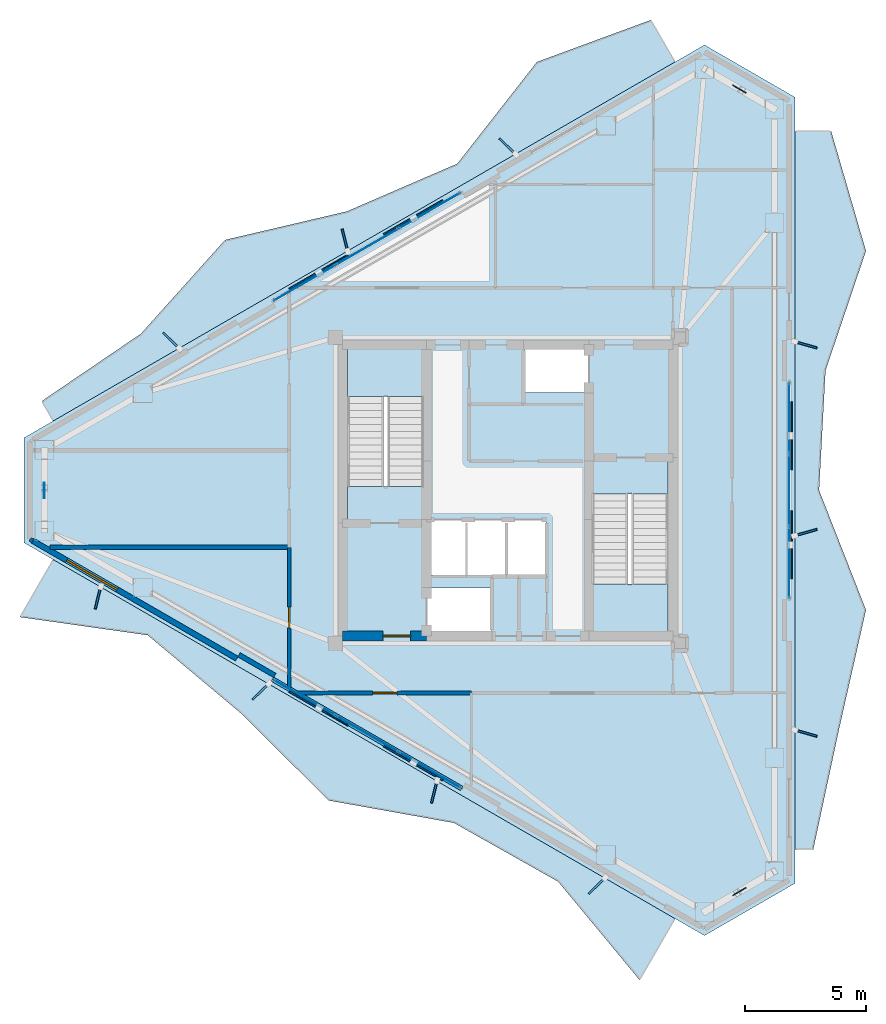
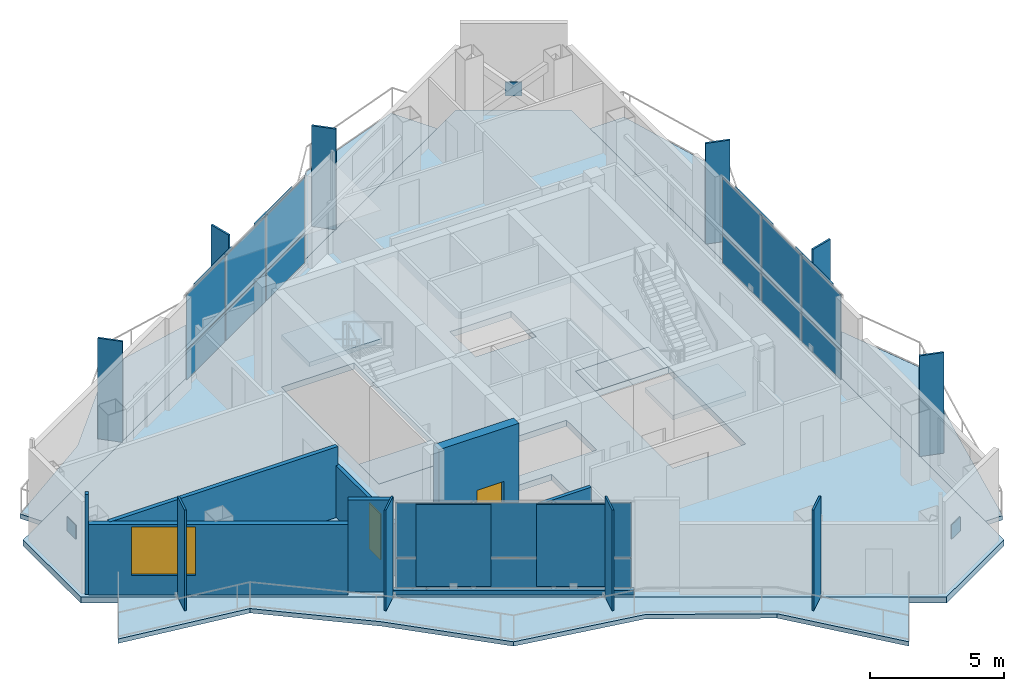
# One storey, part 10 of 15: 37 plates, 8 slabs, 8 walls, 3 doors, 1 window, 4 openings, 5 elements without a shape of their own.
"""IFC4 building model written with IfcOpenShell, lengths in metres."""

from ifc_helpers import new_model, si_unit, direction, frame, frame_2d, origin, origin_2d, place, context, subcontext, project, spatial, polyline, rectangle, outline, extrude, material, layer, layer_set, type_object, element, fill, aggregate, save


model = new_model("IFC4")

# Units and contexts
model_context = context("Model", 3, precision=1e-05, world=origin(), true_north=direction((0.0, 1.0)))
body_context = subcontext(model_context, "Body", "Model", "MODEL_VIEW")
ifc_project = project(units=[si_unit("LENGTHUNIT", "METRE"), si_unit("AREAUNIT", "SQUARE_METRE"), si_unit("VOLUMEUNIT", "CUBIC_METRE"), si_unit("PLANEANGLEUNIT", "RADIAN"), si_unit("MASSUNIT", "GRAM", prefix="KILO")], contexts=[model_context])

# Site, building, storey
site_placement = place(None, origin())
site = spatial("IfcSite", under=ifc_project, at=site_placement, CompositionType="ELEMENT")
building_placement = place(site_placement, origin())
building = spatial("IfcBuilding", under=site, at=building_placement, Name="Mersakhor Tower and Convention Hall", CompositionType="ELEMENT")
storey_placement = place(building_placement, frame((0.0, 0.0, 218.39990234375)))
storey = spatial("IfcBuildingStorey", under=building, at=storey_placement, Name="L61", CompositionType="ELEMENT", Elevation=218.39990234375)

# Curtain wall, plates
ifc_material_1 = material(Name="Dark solar low-E aluminium curtain wall", Category="aluminium")
ifc_layer_1 = layer(ifc_material_1, 0.199951171875)
ifc_layer_set_1 = layer_set([ifc_layer_1], Name="Dark solar low-E aluminium curtain wall")
curtain_wall_type = type_object("IfcCurtainWallType", Name="CW-SYS-05", PredefinedType="USERDEFINED", material=ifc_layer_set_1)
curtain_wall_1_placement = place(storey_placement, origin())
curtain_wall_1 = element("IfcCurtainWall", 1, at=curtain_wall_1_placement, inside=storey, type_object=curtain_wall_type, Name="L61 Dark-Glass Curtain Wall F1-B2", ObjectType="CURTAIN WALL", PredefinedType="USERDEFINED")
ifc_material_2 = material(Name="Dark solar double glazing", Category="glass")
ifc_layer_2 = layer(ifc_material_2, 0.035888671875)
ifc_layer_set_2 = layer_set([ifc_layer_2], Name="Dark solar double glazing")
plate_type_1 = type_object("IfcPlateType", Name="CWP-GLZ-36", PredefinedType="CURTAIN_PANEL", material=ifc_layer_set_2)
plate_1_placement = place(storey_placement, frame((20.62548828125, 35.2958984375, 0.260009765625), z_axis=(0.0, 0.0, 1.0), x_axis=(0.86602088627, 0.500007824483, 0.0)))
plate_1 = element("IfcPlate", 2, at=plate_1_placement, type_object=plate_type_1, Name="CW-05 panel 1.1", PredefinedType="CURTAIN_PANEL", context=body_context, shape_type="SweptSolid", body=[
    extrude(rectangle(XDim=2.879638671875, YDim=0.035888671875, at=origin_2d()), origin(), (0.0, 0.0, 1.0), 1.330078125),
])
plate_2_placement = place(storey_placement, frame((20.62548828125, 35.2958984375, 1.64990234375), z_axis=(0.0, 0.0, 1.0), x_axis=(0.86602088627, 0.500007824483, 0.0)))
plate_2 = element("IfcPlate", 3, at=plate_2_placement, type_object=plate_type_1, Name="CW-05 panel 1.2", PredefinedType="CURTAIN_PANEL", context=body_context, shape_type="SweptSolid", body=[
    extrude(rectangle(XDim=2.879638671875, YDim=0.035888671875, at=origin_2d()), origin(), (0.0, 0.0, 1.0), 2.489990234375),
])
plate_3_placement = place(storey_placement, frame((23.205810546875, 36.785888671875, 0.260009765625), z_axis=(0.0, 0.0, 1.0), x_axis=(0.86602088627, 0.500007824483, 0.0)))
plate_3 = element("IfcPlate", 4, at=plate_3_placement, type_object=plate_type_1, Name="CW-05 panel 2.1", PredefinedType="CURTAIN_PANEL", context=body_context, shape_type="SweptSolid", body=[
    extrude(rectangle(XDim=2.919677734375, YDim=0.035888671875, at=origin_2d()), origin(), (0.0, 0.0, 1.0), 1.330078125),
])
plate_4_placement = place(storey_placement, frame((23.205810546875, 36.785888671875, 1.64990234375), z_axis=(0.0, 0.0, 1.0), x_axis=(0.86602088627, 0.500007824483, 0.0)))
plate_4 = element("IfcPlate", 5, at=plate_4_placement, type_object=plate_type_1, Name="CW-05 panel 2.2", PredefinedType="CURTAIN_PANEL", context=body_context, shape_type="SweptSolid", body=[
    extrude(rectangle(XDim=2.919677734375, YDim=0.035888671875, at=origin_2d()), origin(), (0.0, 0.0, 1.0), 2.489990234375),
])
plate_5_placement = place(storey_placement, frame((25.7861328125, 38.275634765625, 0.260009765625), z_axis=(0.0, 0.0, 1.0), x_axis=(0.86602088627, 0.500007824483, 0.0)))
plate_5 = element("IfcPlate", 6, at=plate_5_placement, type_object=plate_type_1, Name="CW-05 panel 3.1", PredefinedType="CURTAIN_PANEL", context=body_context, shape_type="SweptSolid", body=[
    extrude(rectangle(XDim=2.879638671875, YDim=0.035888671875, at=origin_2d()), origin(), (0.0, 0.0, 1.0), 1.330078125),
])
plate_6_placement = place(storey_placement, frame((25.7861328125, 38.275634765625, 1.64990234375), z_axis=(0.0, 0.0, 1.0), x_axis=(0.86602088627, 0.500007824483, 0.0)))
plate_6 = element("IfcPlate", 7, at=plate_6_placement, type_object=plate_type_1, Name="CW-05 panel 3.2", PredefinedType="CURTAIN_PANEL", context=body_context, shape_type="SweptSolid", body=[
    extrude(rectangle(XDim=2.879638671875, YDim=0.035888671875, at=origin_2d()), origin(), (0.0, 0.0, 1.0), 2.489990234375),
])
aggregate(curtain_wall_1, [plate_1, plate_2, plate_3, plate_4, plate_5, plate_6])

curtain_wall_2_placement = place(storey_placement, origin())
curtain_wall_2 = element("IfcCurtainWall", 8, at=curtain_wall_2_placement, inside=storey, type_object=curtain_wall_type, Name="L61 Dark-Glass Curtain Wall F2-B2", ObjectType="CURTAIN WALL", PredefinedType="USERDEFINED")
plate_7_placement = place(storey_placement, frame((40.58837890625, 29.729736328125, 0.260009765625), z_axis=(0.0, 0.0, 1.0), x_axis=(0.0, -1.0, 0.0)))
plate_7 = element("IfcPlate", 9, at=plate_7_placement, type_object=plate_type_1, Name="CW-05 panel 1.1", PredefinedType="CURTAIN_PANEL", context=body_context, shape_type="SweptSolid", body=[
    extrude(rectangle(XDim=2.879638671875, YDim=0.035888671875, at=origin_2d()), origin(), (0.0, 0.0, 1.0), 1.330078125),
])
plate_8_placement = place(storey_placement, frame((40.58837890625, 29.729736328125, 1.64990234375), z_axis=(0.0, 0.0, 1.0), x_axis=(0.0, -1.0, 0.0)))
plate_8 = element("IfcPlate", 10, at=plate_8_placement, type_object=plate_type_1, Name="CW-05 panel 1.2", PredefinedType="CURTAIN_PANEL", context=body_context, shape_type="SweptSolid", body=[
    extrude(rectangle(XDim=2.879638671875, YDim=0.035888671875, at=origin_2d()), origin(), (0.0, 0.0, 1.0), 2.489990234375),
])
plate_9_placement = place(storey_placement, frame((40.58837890625, 26.75, 0.260009765625), z_axis=(0.0, 0.0, 1.0), x_axis=(0.0, -1.0, 0.0)))
plate_9 = element("IfcPlate", 11, at=plate_9_placement, type_object=plate_type_1, Name="CW-05 panel 2.1", PredefinedType="CURTAIN_PANEL", context=body_context, shape_type="SweptSolid", body=[
    extrude(rectangle(XDim=2.919677734375, YDim=0.035888671875, at=origin_2d()), origin(), (0.0, 0.0, 1.0), 1.330078125),
])
plate_10_placement = place(storey_placement, frame((40.58837890625, 26.75, 1.64990234375), z_axis=(0.0, 0.0, 1.0), x_axis=(0.0, -1.0, 0.0)))
plate_10 = element("IfcPlate", 12, at=plate_10_placement, type_object=plate_type_1, Name="CW-05 panel 2.2", PredefinedType="CURTAIN_PANEL", context=body_context, shape_type="SweptSolid", body=[
    extrude(rectangle(XDim=2.919677734375, YDim=0.035888671875, at=origin_2d()), origin(), (0.0, 0.0, 1.0), 2.489990234375),
])
plate_11_placement = place(storey_placement, frame((40.58837890625, 23.770263671875, 0.260009765625), z_axis=(0.0, 0.0, 1.0), x_axis=(0.0, -1.0, 0.0)))
plate_11 = element("IfcPlate", 13, at=plate_11_placement, type_object=plate_type_1, Name="CW-05 panel 3.1", PredefinedType="CURTAIN_PANEL", context=body_context, shape_type="SweptSolid", body=[
    extrude(rectangle(XDim=2.879638671875, YDim=0.035888671875, at=origin_2d()), origin(), (0.0, 0.0, 1.0), 1.330078125),
])
plate_12_placement = place(storey_placement, frame((40.58837890625, 23.770263671875, 1.64990234375), z_axis=(0.0, 0.0, 1.0), x_axis=(0.0, -1.0, 0.0)))
plate_12 = element("IfcPlate", 14, at=plate_12_placement, type_object=plate_type_1, Name="CW-05 panel 3.2", PredefinedType="CURTAIN_PANEL", context=body_context, shape_type="SweptSolid", body=[
    extrude(rectangle(XDim=2.879638671875, YDim=0.035888671875, at=origin_2d()), origin(), (0.0, 0.0, 1.0), 2.489990234375),
])
aggregate(curtain_wall_2, [plate_7, plate_8, plate_9, plate_10, plate_11, plate_12])

curtain_wall_3_placement = place(storey_placement, origin())
curtain_wall_3 = element("IfcCurtainWall", 15, at=curtain_wall_3_placement, inside=storey, type_object=curtain_wall_type, Name="L61 Dark-Glass Curtain Wall F3-B2", ObjectType="CURTAIN WALL", PredefinedType="USERDEFINED")
plate_13_placement = place(storey_placement, frame((25.7861328125, 15.224365234375, 0.260009765625), z_axis=(0.0, 0.0, 1.0), x_axis=(-0.86602088627, 0.500007824483, 0.0)))
plate_13 = element("IfcPlate", 16, at=plate_13_placement, type_object=plate_type_1, Name="CW-05 panel 1.1", PredefinedType="CURTAIN_PANEL", context=body_context, shape_type="SweptSolid", body=[
    extrude(rectangle(XDim=2.879638671875, YDim=0.035888671875, at=origin_2d()), origin(), (0.0, 0.0, 1.0), 1.330078125),
])
plate_14_placement = place(storey_placement, frame((25.7861328125, 15.224365234375, 1.64990234375), z_axis=(0.0, 0.0, 1.0), x_axis=(-0.86602088627, 0.500007824483, 0.0)))
plate_14 = element("IfcPlate", 17, at=plate_14_placement, type_object=plate_type_1, Name="CW-05 panel 1.2", PredefinedType="CURTAIN_PANEL", context=body_context, shape_type="SweptSolid", body=[
    extrude(rectangle(XDim=2.879638671875, YDim=0.035888671875, at=origin_2d()), origin(), (0.0, 0.0, 1.0), 2.489990234375),
])
plate_15_placement = place(storey_placement, frame((23.205810546875, 16.714111328125, 0.260009765625), z_axis=(0.0, 0.0, 1.0), x_axis=(-0.86602088627, 0.500007824483, 0.0)))
plate_15 = element("IfcPlate", 18, at=plate_15_placement, type_object=plate_type_1, Name="CW-05 panel 2.1", PredefinedType="CURTAIN_PANEL", context=body_context, shape_type="SweptSolid", body=[
    extrude(rectangle(XDim=2.919677734375, YDim=0.035888671875, at=origin_2d()), origin(), (0.0, 0.0, 1.0), 1.330078125),
])
plate_16_placement = place(storey_placement, frame((23.205810546875, 16.714111328125, 1.64990234375), z_axis=(0.0, 0.0, 1.0), x_axis=(-0.86602088627, 0.500007824483, 0.0)))
plate_16 = element("IfcPlate", 19, at=plate_16_placement, type_object=plate_type_1, Name="CW-05 panel 2.2", PredefinedType="CURTAIN_PANEL", context=body_context, shape_type="SweptSolid", body=[
    extrude(rectangle(XDim=2.919677734375, YDim=0.035888671875, at=origin_2d()), origin(), (0.0, 0.0, 1.0), 2.489990234375),
])
plate_17_placement = place(storey_placement, frame((20.62548828125, 18.2041015625, 0.260009765625), z_axis=(0.0, 0.0, 1.0), x_axis=(-0.86602088627, 0.500007824483, 0.0)))
plate_17 = element("IfcPlate", 20, at=plate_17_placement, type_object=plate_type_1, Name="CW-05 panel 3.1", PredefinedType="CURTAIN_PANEL", context=body_context, shape_type="SweptSolid", body=[
    extrude(rectangle(XDim=2.879638671875, YDim=0.035888671875, at=origin_2d()), origin(), (0.0, 0.0, 1.0), 1.330078125),
])
plate_18_placement = place(storey_placement, frame((20.62548828125, 18.2041015625, 1.64990234375), z_axis=(0.0, 0.0, 1.0), x_axis=(-0.86602088627, 0.500007824483, 0.0)))
plate_18 = element("IfcPlate", 21, at=plate_18_placement, type_object=plate_type_1, Name="CW-05 panel 3.2", PredefinedType="CURTAIN_PANEL", context=body_context, shape_type="SweptSolid", body=[
    extrude(rectangle(XDim=2.879638671875, YDim=0.035888671875, at=origin_2d()), origin(), (0.0, 0.0, 1.0), 2.489990234375),
])
aggregate(curtain_wall_3, [plate_13, plate_14, plate_15, plate_16, plate_17, plate_18])

# Plates
ifc_material_3 = material(Name="Ceramic-clad aluminium Zone 4 terracotta-coral", Category="masonry")
ifc_material_4 = material(Name="Ceramic-clad aluminium Zone 1 cobalt-slate", Category="masonry")
ifc_layer_3 = layer(ifc_material_4, 0.080078125)
ifc_layer_set_3 = layer_set([ifc_layer_3], Name="Ceramic-clad aluminium Zone 1 cobalt-slate")
plate_type_2 = type_object("IfcPlateType", Name="PL-FIN-80", PredefinedType="USERDEFINED", material=ifc_layer_set_3)
for number, where, z_axis, x_axis, name in (
    (22, (15.134521484375, 32.918701171875, 0.0), (0.0, 0.0, 1.0), (-0.719339800339, 0.694658370459, 0.0), "L61 Zone 4 Coloured Brise-Soleil Fin F1-1"),
    (23, (22.289306640625, 37.049560546875, 0.0), (0.0, 0.0, 1.0), (-0.2419218956, 0.970295726276, 0.0), "L61 Zone 4 Coloured Brise-Soleil Fin F1-2"),
    (24, (28.99072265625, 40.918701171875, 0.0), (0.0, 0.0, 1.0), (-0.719339800339, 0.694658370459, 0.0), "L61 Zone 4 Coloured Brise-Soleil Fin F1-3"),
    (25, (41.27490234375, 32.7451171875, 0.0), (0.0, 0.0, 1.0), (0.961261695938, -0.275637355817, 0.0), "L61 Zone 4 Coloured Brise-Soleil Fin F2-1"),
    (26, (41.27490234375, 25.007080078125, 0.0), (0.0, 0.0, 1.0), (0.961261695938, 0.275637355817, 0.0), "L61 Zone 4 Coloured Brise-Soleil Fin F2-2"),
    (27, (41.27490234375, 16.7451171875, 0.0), (0.0, 0.0, 1.0), (0.961261695938, -0.275637355817, 0.0), "L61 Zone 4 Coloured Brise-Soleil Fin F2-3"),
    (28, (32.673095703125, 10.455322265625, 0.0), (0.0, 0.0, 1.0), (-0.719339800339, -0.694658370459, 0.0), "L61 Zone 4 Coloured Brise-Soleil Fin F3-1"),
    (29, (25.9716796875, 14.324462890625, 0.0), (0.0, 0.0, 1.0), (-0.2419218956, -0.970295726276, 0.0), "L61 Zone 4 Coloured Brise-Soleil Fin F3-2"),
    (30, (18.81689453125, 18.455322265625, 0.0), (0.0, 0.0, 1.0), (-0.719339800339, -0.694658370459, 0.0), "L61 Zone 4 Coloured Brise-Soleil Fin F3-3"),
    (31, (12.115478515625, 22.324462890625, 0.0), (0.0, 0.0, 1.0), (-0.2419218956, -0.970295726276, 0.0), "L61 Zone 4 Coloured Brise-Soleil Fin F3-4"),
):
    element("IfcPlate", number, at=place(storey_placement, frame(where, z_axis=z_axis, x_axis=x_axis)), inside=storey, type_object=plate_type_2, material=ifc_material_3, Name=name, ObjectType="FIN", PredefinedType="USERDEFINED", context=body_context, shape_type="SweptSolid", body=[
        extrude(rectangle(XDim=0.949951171875, YDim=0.080078125, at=origin_2d()), origin(), (0.0, 0.0, 1.0), 4.60009765625),
    ])
ifc_material_5 = material(Name="Steel S460", Category="steel")
ifc_layer_4 = layer(ifc_material_5, 0.0400390625)
ifc_layer_set_4 = layer_set([ifc_layer_4], Name="Steel S460")
plate_type_3 = type_object("IfcPlateType", Name="PL-GUSSET-40", PredefinedType="SHEET", material=ifc_layer_set_4)
for number, where, z_axis, x_axis, name in (
    (32, (38.54638671875, 43.28466796875, 1.2353515625), (0.0, 0.0, 1.0), (-0.866025403784, 0.5, 0.0), "L61 X-Brace Crossing Gusset Node Plate"),
    (33, (38.54638671875, 10.21533203125, 1.2353515625), (0.0, 0.0, 1.0), (0.866025403784, 0.5, 0.0), "L61 X-Brace Crossing Gusset Node Plate"),
    (34, (9.907470703125, 26.75, 1.2353515625), (0.0, 0.0, 1.0), (0.0, -1.0, 0.0), "L61 X-Brace Crossing Gusset Node Plate"),
):
    element("IfcPlate", number, at=place(storey_placement, frame(where, z_axis=z_axis, x_axis=x_axis)), inside=storey, type_object=plate_type_3, Name=name, PredefinedType="SHEET", context=body_context, shape_type="SweptSolid", body=[
        extrude(rectangle(XDim=0.639892578125, YDim=0.0400390625, at=origin_2d()), origin(), (0.0, 0.0, 1.0), 0.639892578125),
    ])
ifc_material_6 = material(Name="Perforated ceramic cobogo solar screen", Category="aluminium")
ifc_layer_5 = layer(ifc_material_6, 0.055908203125)
ifc_layer_set_5 = layer_set([ifc_layer_5], Name="Perforated ceramic cobogo solar screen")
plate_type_4 = type_object("IfcPlateType", Name="PL-SCR-56", PredefinedType="USERDEFINED", material=ifc_layer_set_5)
for number, where, z_axis, x_axis, name in (
    (35, (21.20849609375, 35.745849609375, 0.400146484375), (0.0, 0.0, 1.0), (0.866025403784, 0.5, 0.0), "L61 Perforated Ceramic Solar Screen F1-1"),
    (36, (25.10498046875, 37.99560546875, 0.400146484375), (0.0, 0.0, 1.0), (0.866025403784, 0.5, 0.0), "L61 Perforated Ceramic Solar Screen F1-2"),
    (37, (40.686279296875, 28.999755859375, 0.400146484375), (0.0, 0.0, 1.0), (0.0, -1.0, 0.0), "L61 Perforated Ceramic Solar Screen F2-1"),
    (38, (40.686279296875, 24.500244140625, 0.400146484375), (0.0, 0.0, 1.0), (0.0, -1.0, 0.0), "L61 Perforated Ceramic Solar Screen F2-2"),
    (39, (25.10498046875, 15.50439453125, 0.400146484375), (0.0, 0.0, 1.0), (-0.866025403784, 0.5, 0.0), "L61 Perforated Ceramic Solar Screen F3-1"),
    (40, (21.20849609375, 17.754150390625, 0.400146484375), (0.0, 0.0, 1.0), (-0.866025403784, 0.5, 0.0), "L61 Perforated Ceramic Solar Screen F3-2"),
):
    element("IfcPlate", number, at=place(storey_placement, frame(where, z_axis=z_axis, x_axis=x_axis)), inside=storey, type_object=plate_type_4, Name=name, ObjectType="SCREEN", PredefinedType="USERDEFINED", context=body_context, shape_type="SweptSolid", body=[
        extrude(rectangle(XDim=2.800048828125, YDim=0.055908203125, at=origin_2d()), origin(), (0.0, 0.0, 1.0), 3.75),
    ])

# Slabs
ifc_material_7 = material(Name="Concrete C45/55", Category="concrete")
ifc_layer_6 = layer(ifc_material_7, 0.199951171875)
ifc_layer_set_6 = layer_set([ifc_layer_6], Name="Concrete C45/55")
slab_type_1 = type_object("IfcSlabType", Name="SL-BAL-200", PredefinedType="FLOOR", material=ifc_layer_set_6)
slab_1_placement = place(storey_placement, frame((0.0, 0.0, -0.199951171875)))
element("IfcSlab", 41, at=slab_1_placement, inside=storey, type_object=slab_type_1, Name="L61 Sinusoidal Balcony Slab Face 1", PredefinedType="FLOOR", context=body_context, shape_type="SweptSolid", body=[
    extrude(outline(polyline([(10.27001953125, 29.60595703125), (35.8916015625, 44.398681640625), (34.8935546875, 46.12744140625), (30.198974609375, 44.397216796875), (26.922607421875, 40.209716796875), (22.3662109375, 38.240234375), (17.3505859375, 37.065673828125), (13.88671875, 33.203125), (9.797607421875, 30.423828125), (10.27001953125, 29.60595703125)])), origin(), (0.0, 0.0, 1.0), 0.199951171875),
])
slab_2_placement = place(storey_placement, frame((0.0, 0.0, -0.199951171875)))
element("IfcSlab", 42, at=slab_2_placement, inside=storey, type_object=slab_type_1, Name="L61 Sinusoidal Balcony Slab Face 2", PredefinedType="FLOOR", context=body_context, shape_type="SweptSolid", body=[
    extrude(outline(polyline([(40.83837890625, 41.542724609375), (40.83837890625, 11.957275390625), (41.58837890625, 11.957275390625), (42.644287109375, 16.88818359375), (43.75830078125, 21.819091796875), (41.826171875, 26.75), (42.091064453125, 31.680908203125), (43.75830078125, 36.61181640625), (42.3251953125, 41.542724609375), (40.83837890625, 41.542724609375)])), origin(), (0.0, 0.0, 1.0), 0.199951171875),
])
slab_3_placement = place(storey_placement, frame((0.0, 0.0, -0.199951171875)))
element("IfcSlab", 43, at=slab_3_placement, inside=storey, type_object=slab_type_1, Name="L61 Sinusoidal Balcony Slab Face 3", PredefinedType="FLOOR", context=body_context, shape_type="SweptSolid", body=[
    extrude(outline(polyline([(35.8916015625, 9.101318359375), (10.27001953125, 23.89404296875), (8.90185546875, 21.524658203125), (14.165283203125, 20.779052734375), (18.0029296875, 17.564208984375), (21.620849609375, 13.968994140625), (26.781494140625, 13.045654296875), (31.076416015625, 10.623046875), (34.431640625, 6.572509765625), (35.8916015625, 9.101318359375)])), origin(), (0.0, 0.0, 1.0), 0.199951171875),
])
ifc_material_8 = material(Name="Concrete C45/55", Category="concrete")
ifc_layer_7 = layer(ifc_material_8, 0.280029296875)
ifc_layer_set_7 = layer_set([ifc_layer_7], Name="Concrete C45/55")
slab_type_2 = type_object("IfcSlabType", Name="SL-FLR-280", PredefinedType="FLOOR", material=ifc_layer_set_7)
slab_4_placement = place(storey_placement, frame((0.0, 0.0, -0.27978515625)))
element("IfcSlab", 44, at=slab_4_placement, inside=storey, type_object=slab_type_2, Name="L61 ST-1 Structural Stair Floor Landing", PredefinedType="LANDING", context=body_context, shape_type="SweptSolid", body=[
    extrude(outline(polyline([(25.550048828125, 25.39990234375), (25.550048828125, 26.89990234375), (22.39990234375, 26.89990234375), (22.39990234375, 25.39990234375), (25.550048828125, 25.39990234375)])), origin(), (0.0, 0.0, 1.0), 0.27978515625),
])
slab_5_placement = place(storey_placement, frame((0.0, 0.0, -0.27978515625)))
element("IfcSlab", 45, at=slab_5_placement, inside=storey, type_object=slab_type_2, Name="L61 ST-2 Structural Stair Floor Landing", PredefinedType="LANDING", context=body_context, shape_type="SweptSolid", body=[
    extrude(outline(polyline([(32.449951171875, 28.10009765625), (32.449951171875, 26.60009765625), (35.60009765625, 26.60009765625), (35.60009765625, 28.10009765625), (32.449951171875, 28.10009765625)])), origin(), (0.0, 0.0, 1.0), 0.27978515625),
])
slab_6_placement = place(storey_placement, frame((0.0, 0.0, -0.27978515625)))
element("IfcSlab", 46, at=slab_6_placement, inside=storey, type_object=slab_type_2, Name="Tower L61 Structural Floor Slab", PredefinedType="FLOOR", context=body_context, shape_type="SweptSolid", body=[
    extrude(outline(polyline([(9.0576171875, 28.906005859375), (37.10400390625, 45.0986328125), (40.83837890625, 42.942626953125), (40.83837890625, 10.557373046875), (37.10400390625, 8.4013671875), (9.0576171875, 24.593994140625), (9.0576171875, 28.906005859375)]), holes=[polyline([(25.550048828125, 25.39990234375), (25.550048828125, 32.699951171875), (22.39990234375, 32.699951171875), (22.39990234375, 25.39990234375), (25.550048828125, 25.39990234375)]), polyline([(32.449951171875, 28.10009765625), (32.449951171875, 20.800048828125), (35.60009765625, 20.800048828125), (35.60009765625, 28.10009765625), (32.449951171875, 28.10009765625)]), polyline([(25.679931640625, 20.820068359375), (25.679931640625, 22.719970703125), (28.320068359375, 22.719970703125), (28.320068359375, 20.820068359375), (25.679931640625, 20.820068359375)]), polyline([(29.679931640625, 30.780029296875), (29.679931640625, 32.679931640625), (32.320068359375, 32.679931640625), (32.320068359375, 30.780029296875), (29.679931640625, 30.780029296875)]), polyline([(25.679931640625, 23.25), (25.679931640625, 25.5), (30.570068359375, 25.5), (30.570068359375, 23.25), (25.679931640625, 23.25)])]), origin(), (0.0, 0.0, 1.0), 0.27978515625),
])

# Stair, slab
ifc_material_9 = material(Name="Concrete C45/55", Category="concrete")
stair_type = type_object("IfcStairType", Name="ST-TWR-28R", PredefinedType="HALF_TURN_STAIR", material=ifc_material_9)
stair_1_placement = place(storey_placement, origin())
stair_1 = element("IfcStair", 47, at=stair_1_placement, inside=storey, type_object=stair_type, Name="L61 Tower Protected Exit Stair ST-1", PredefinedType="HALF_TURN_STAIR")
ifc_material_10 = material(Name="Concrete C45/55", Category="concrete")
ifc_layer_8 = layer(ifc_material_10, 0.199951171875)
ifc_layer_set_8 = layer_set([ifc_layer_8], Name="Concrete C45/55")
slab_type_3 = type_object("IfcSlabType", Name="SL-LAND-200", PredefinedType="LANDING", material=ifc_layer_set_8)
slab_7_placement = place(storey_placement, frame((0.0, 0.0, 2.2001953125)))
slab_7 = element("IfcSlab", 48, at=slab_7_placement, type_object=slab_type_3, Name="ST-1 landing 1", PredefinedType="LANDING", context=body_context, shape_type="SweptSolid", body=[
    extrude(outline(polyline([(25.550048828125, 30.60498046875), (25.550048828125, 32.699951171875), (22.39990234375, 32.699951171875), (22.39990234375, 30.60498046875), (25.550048828125, 30.60498046875)])), origin(), (0.0, 0.0, 1.0), 0.199951171875),
])
aggregate(stair_1, [slab_7])

stair_2_placement = place(storey_placement, origin())
stair_2 = element("IfcStair", 49, at=stair_2_placement, inside=storey, type_object=stair_type, Name="L61 Tower Protected Exit Stair ST-2", PredefinedType="HALF_TURN_STAIR")
slab_8_placement = place(storey_placement, frame((0.0, 0.0, 2.2001953125)))
slab_8 = element("IfcSlab", 50, at=slab_8_placement, type_object=slab_type_3, Name="ST-2 landing 1", PredefinedType="LANDING", context=body_context, shape_type="SweptSolid", body=[
    extrude(outline(polyline([(32.449951171875, 22.89501953125), (32.449951171875, 20.800048828125), (35.60009765625, 20.800048828125), (35.60009765625, 22.89501953125), (32.449951171875, 22.89501953125)])), origin(), (0.0, 0.0, 1.0), 0.199951171875),
])
aggregate(stair_2, [slab_8])

# Wall, opening, window
ifc_material_11 = material(Name="Precast concrete C40/50", Category="concrete")
ifc_layer_9 = layer(ifc_material_11, 0.22509765625)
ifc_layer_set_9 = layer_set([ifc_layer_9], Name="Precast concrete C40/50")
wall_type_1 = type_object("IfcWallType", Name="WL-EXT-225", PredefinedType="SOLIDWALL", material=ifc_layer_set_9)
wall_1_placement = place(storey_placement, frame((17.8369140625, 19.81396484375, 0.0), z_axis=(0.0, 0.0, 1.0), x_axis=(-0.866027133173, 0.499997004599, 0.0)))
wall_1 = element("IfcWall", 51, at=wall_1_placement, inside=storey, type_object=wall_type_1, Name="L61 Exterior Facade Wall F3-B3", PredefinedType="SOLIDWALL", context=body_context, shape_type="SweptSolid", body=[
    extrude(rectangle(XDim=9.69873046875, YDim=0.22509765625, at=frame_2d((4.849365234375, 0.0))), origin(), (0.0, 0.0, 1.0), 3.215087890625),
])
opening_1_placement = place(wall_1_placement, frame((5.693115234375, 0.0, 0.89990234375)))
opening_1 = element("IfcOpeningElement", 52, at=opening_1_placement, cuts=wall_1, Name="Opening W-09", PredefinedType="OPENING", context=body_context, shape_type="SweptSolid", body=[
    extrude(rectangle(XDim=2.39990234375, YDim=2.199951171875, at=frame_2d((1.199951171875, 1.10009765625))), frame((0.0, 0.12255859375, 0.0), z_axis=(0.0, -1.0, 0.0), x_axis=(1.0, 0.0, 0.0)), (0.0, 0.0, 1.0), 0.2451171875),
])
ifc_material_12 = material(Name="Dark solar low-E glazed aluminium window", Category="aluminium")
window_type = type_object("IfcWindowType", Name="WN-COM-240x220", PartitioningType="SINGLE_PANEL", PredefinedType="WINDOW", material=ifc_material_12)
window_placement = place(opening_1_placement, origin())
window = element("IfcWindow", 53, at=window_placement, inside=storey, type_object=window_type, Name="L61 Facade Punched Window F3-B3", OverallHeight=2.199951171875, OverallWidth=2.39990234375, PartitioningType="SINGLE_PANEL", PredefinedType="WINDOW", context=body_context, shape_type="SweptSolid", body=[
    extrude(rectangle(XDim=2.39990234375, YDim=2.199951171875, at=frame_2d((1.199951171875, 1.10009765625))), frame((0.0, 0.030029296875, 0.0), z_axis=(0.0, -1.0, 0.0), x_axis=(1.0, 0.0, 0.0)), (0.0, 0.0, 1.0), 0.06005859375),
])
fill(opening_1, window)

# Walls
ifc_material_13 = material(Name="Precast concrete C40/50", Category="concrete")
ifc_layer_10 = layer(ifc_material_13, 0.199951171875)
ifc_layer_set_10 = layer_set([ifc_layer_10], Name="Precast concrete C40/50")
wall_type_2 = type_object("IfcWallType", Name="WL-PAR-200", PredefinedType="PARAPET", material=ifc_layer_set_10)
wall_2_placement = place(storey_placement, frame((27.102294921875, 14.46435546875, 0.0), z_axis=(0.0, 0.0, 1.0), x_axis=(-0.866020680503, 0.500008180874, 0.0)))
element("IfcWall", 54, at=wall_2_placement, inside=storey, type_object=wall_type_2, Name="L61 Curtain Wall Upstand Sill F3-B2", PredefinedType="PARAPET", context=body_context, shape_type="SweptSolid", body=[
    extrude(rectangle(XDim=8.998779296875, YDim=0.199951171875, at=frame_2d((4.49951171875, 0.0))), origin(), (0.0, 0.0, 1.0), 0.2001953125),
])
wall_3_placement = place(storey_placement, frame((19.399169921875, 19.119873046875, 0.0), z_axis=(0.0, 0.0, 1.0), x_axis=(-0.86605165483, 0.499954529098, 0.0)))
element("IfcWall", 55, at=wall_3_placement, inside=storey, type_object=wall_type_2, Name="L61 Column Pier Cladding Wall F3-C2", PredefinedType="PARAPET", context=body_context, shape_type="SweptSolid", body=[
    extrude(rectangle(XDim=1.699951171875, YDim=0.199951171875, at=frame_2d((0.85009765625, 0.0))), origin(), (0.0, 0.0, 1.0), 4.2001953125),
])
ifc_material_14 = material(Name="Moisture-resistant acoustic drywall studwork", Category="other")
ifc_layer_11 = layer(ifc_material_14, 0.175048828125)
ifc_layer_set_11 = layer_set([ifc_layer_11], Name="Moisture-resistant acoustic drywall studwork")
wall_type_3 = type_object("IfcWallType", Name="WL-PLM-175", PredefinedType="PLUMBINGWALL", material=ifc_layer_set_11)
wall_4_placement = place(storey_placement, frame((10.1416015625, 24.39990234375, 0.0), z_axis=(0.0, 0.0, 1.0), x_axis=(1.0, 0.0, 0.0)))
element("IfcWall", 56, at=wall_4_placement, inside=storey, type_object=wall_type_3, Name="L61 Interior Partition Wall P-037", PredefinedType="PLUMBINGWALL", context=body_context, shape_type="SweptSolid", body=[
    extrude(rectangle(XDim=9.8583984375, YDim=0.175048828125, at=frame_2d((4.92919921875, 0.0))), origin(), (0.0, 0.0, 1.0), 3.215087890625),
])
wall_5_placement = place(storey_placement, frame((9.437255859375, 24.662841796875, 0.0), z_axis=(0.0, 0.0, 1.0), x_axis=(-0.866125498941, 0.499826590014, 0.0)))
element("IfcWall", 57, at=wall_5_placement, inside=storey, type_object=wall_type_3, Name="L61 Interior Partition Wall P-038", PredefinedType="PLUMBINGWALL", context=body_context, shape_type="SweptSolid", body=[
    extrude(rectangle(XDim=0.13525390625, YDim=0.175048828125, at=frame_2d((0.067626953125, 0.0))), origin(), (0.0, 0.0, 1.0), 4.580078125),
])

# Wall, opening, door
ifc_material_15 = material(Name="Fire-rated gypsum board stud partition", Category="other")
ifc_layer_12 = layer(ifc_material_15, 0.14990234375)
ifc_layer_set_12 = layer_set([ifc_layer_12], Name="Fire-rated gypsum board stud partition")
wall_type_4 = type_object("IfcWallType", Name="WL-PRT-150", PredefinedType="PARTITIONING", material=ifc_layer_set_12)
wall_6_placement = place(storey_placement, frame((27.5, 18.39990234375, 0.0), z_axis=(0.0, 0.0, 1.0), x_axis=(-1.0, 0.0, 0.0)))
wall_6 = element("IfcWall", 58, at=wall_6_placement, inside=storey, type_object=wall_type_4, Name="L61 Interior Partition Wall P-024", PredefinedType="PARTITIONING", context=body_context, shape_type="SweptSolid", body=[
    extrude(rectangle(XDim=7.1376953125, YDim=0.14990234375, at=frame_2d((3.56884765625, 0.0))), origin(), (0.0, 0.0, 1.0), 2.364990234375),
])
opening_2_placement = place(wall_6_placement, frame((3.06884765625, 0.0, 0.0)))
opening_2 = element("IfcOpeningElement", 59, at=opening_2_placement, cuts=wall_6, Name="Opening FD-01", PredefinedType="OPENING", context=body_context, shape_type="SweptSolid", body=[
    extrude(rectangle(XDim=1.0, YDim=2.14990234375, at=frame_2d((0.5, 1.074951171875))), frame((0.0, 0.0849609375, 0.0), z_axis=(0.0, -1.0, 0.0), x_axis=(1.0, 0.0, 0.0)), (0.0, 0.0, 1.0), 0.169921875),
])
ifc_material_16 = material(Name="Fire-rated hardwood leaf and painted steel frame", Category="steel")
door_type_1 = type_object("IfcDoorType", Name="DR-INT-FLT-100x215", OperationType="NOTDEFINED", PredefinedType="DOOR", material=ifc_material_16)
door_1_placement = place(opening_2_placement, origin())
door_1 = element("IfcDoor", 60, at=door_1_placement, inside=storey, type_object=door_type_1, Name="L61 L61 Sky-Lobby Corridor to Focus Study Booth Room Door", OperationType="SINGLE_SWING_LEFT", OverallHeight=2.14990234375, OverallWidth=1.0, PredefinedType="DOOR", context=body_context, shape_type="SweptSolid", body=[
    extrude(rectangle(XDim=1.0, YDim=2.14990234375, at=frame_2d((0.5, 1.074951171875))), frame((0.0, 0.02490234375, 0.0), z_axis=(0.0, -1.0, 0.0), x_axis=(1.0, 0.0, 0.0)), (0.0, 0.0, 1.0), 0.050048828125),
])
fill(opening_2, door_1)

wall_7_placement = place(storey_placement, frame((20.0, 18.613525390625, 0.0), z_axis=(0.0, 0.0, 1.0), x_axis=(0.0, 1.0, 0.0)))
wall_7 = element("IfcWall", 61, at=wall_7_placement, inside=storey, type_object=wall_type_4, Name="L61 Interior Partition Wall P-025", PredefinedType="PARTITIONING", context=body_context, shape_type="SweptSolid", body=[
    extrude(rectangle(XDim=5.786376953125, YDim=0.14990234375, at=frame_2d((2.89306640625, 0.0))), origin(), (0.0, 0.0, 1.0), 2.364990234375),
])
opening_3_placement = place(wall_7_placement, frame((2.46826171875, 0.0, 0.0)))
opening_3 = element("IfcOpeningElement", 62, at=opening_3_placement, cuts=wall_7, Name="Opening SVD-01", PredefinedType="OPENING", context=body_context, shape_type="SweptSolid", body=[
    extrude(rectangle(XDim=0.85009765625, YDim=2.10009765625, at=frame_2d((0.425048828125, 1.050048828125))), frame((0.0, 0.0849609375, 0.0), z_axis=(0.0, -1.0, 0.0), x_axis=(1.0, 0.0, 0.0)), (0.0, 0.0, 1.0), 0.169921875),
])
ifc_material_17 = material(Name="Fire-rated hardwood leaf and painted steel frame", Category="steel")
door_type_2 = type_object("IfcDoorType", Name="DR-INT-SVC-085x210", OperationType="NOTDEFINED", PredefinedType="DOOR", material=ifc_material_17)
door_2_placement = place(opening_3_placement, origin())
door_2 = element("IfcDoor", 63, at=door_2_placement, inside=storey, type_object=door_type_2, Name="L61 L61 Sky-Lobby Corridor to Level 61 Public Restrooms Door", OperationType="SINGLE_SWING_LEFT", OverallHeight=2.10009765625, OverallWidth=0.85009765625, PredefinedType="DOOR", context=body_context, shape_type="SweptSolid", body=[
    extrude(rectangle(XDim=0.85009765625, YDim=2.10009765625, at=frame_2d((0.425048828125, 1.050048828125))), frame((0.0, 0.02490234375, 0.0), z_axis=(0.0, -1.0, 0.0), x_axis=(1.0, 0.0, 0.0)), (0.0, 0.0, 1.0), 0.050048828125),
])
fill(opening_3, door_2)

ifc_material_18 = material(Name="Concrete C60/75", Category="concrete")
ifc_layer_13 = layer(ifc_material_18, 0.39990234375)
ifc_layer_set_13 = layer_set([ifc_layer_13], Name="Concrete C60/75")
wall_type_5 = type_object("IfcWallType", Name="WL-SHR-400", PredefinedType="SHEAR", material=ifc_layer_set_13)
wall_8_placement = place(storey_placement, frame((25.64990234375, 20.75, 0.0), z_axis=(0.0, 0.0, 1.0), x_axis=(-1.0, 0.0, 0.0)))
wall_8 = element("IfcWall", 64, at=wall_8_placement, inside=storey, type_object=wall_type_5, Name="L61 Core Wall CW-S4", PredefinedType="SHEAR", context=body_context, shape_type="SweptSolid", body=[
    extrude(rectangle(XDim=3.449951171875, YDim=0.39990234375, at=frame_2d((1.72509765625, 0.0))), origin(), (0.0, 0.0, 1.0), 4.580078125),
])
opening_4_placement = place(wall_8_placement, frame((0.64990234375, 0.0, 0.0)))
opening_4 = element("IfcOpeningElement", 65, at=opening_4_placement, cuts=wall_8, Name="Opening SD-01", PredefinedType="OPENING", context=body_context, shape_type="SweptSolid", body=[
    extrude(rectangle(XDim=1.14990234375, YDim=2.14990234375, at=frame_2d((0.574951171875, 1.074951171875))), frame((0.0, 0.2099609375, 0.0), z_axis=(0.0, -1.0, 0.0), x_axis=(1.0, 0.0, 0.0)), (0.0, 0.0, 1.0), 0.419921875),
])
ifc_material_19 = material(Name="Fire-rated hardwood leaf and painted steel frame", Category="steel")
door_type_3 = type_object("IfcDoorType", Name="DR-INT-STAIR-115x215", OperationType="NOTDEFINED", PredefinedType="DOOR", material=ifc_material_19)
door_3_placement = place(opening_4_placement, origin())
door_3 = element("IfcDoor", 66, at=door_3_placement, inside=storey, type_object=door_type_3, Name="L61 Firefighting Lobby West Fire Door", OperationType="SINGLE_SWING_LEFT", OverallHeight=2.14990234375, OverallWidth=1.14990234375, PredefinedType="DOOR", context=body_context, shape_type="SweptSolid", body=[
    extrude(rectangle(XDim=1.14990234375, YDim=2.14990234375, at=frame_2d((0.574951171875, 1.074951171875))), frame((0.0, 0.02490234375, 0.0), z_axis=(0.0, -1.0, 0.0), x_axis=(1.0, 0.0, 0.0)), (0.0, 0.0, 1.0), 0.050048828125),
])
fill(opening_4, door_3)

save(model, "model.ifc")
